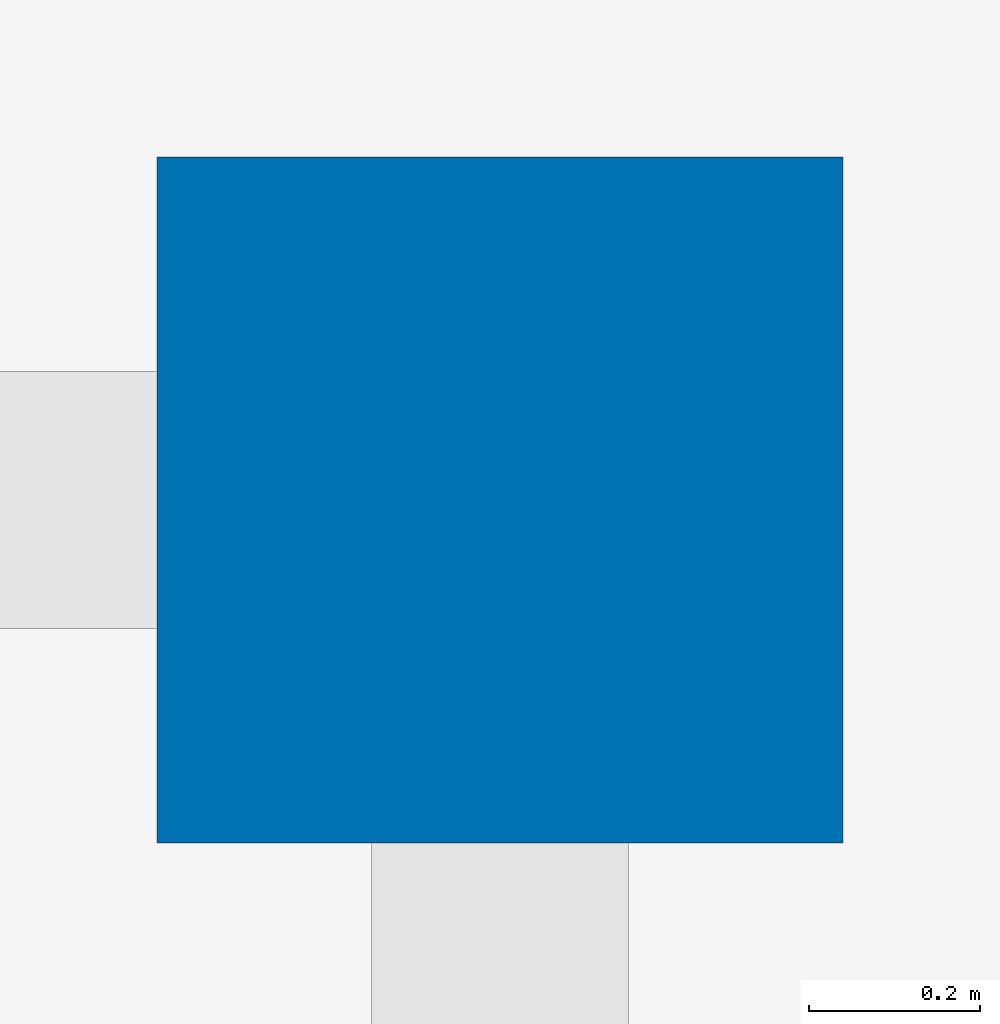
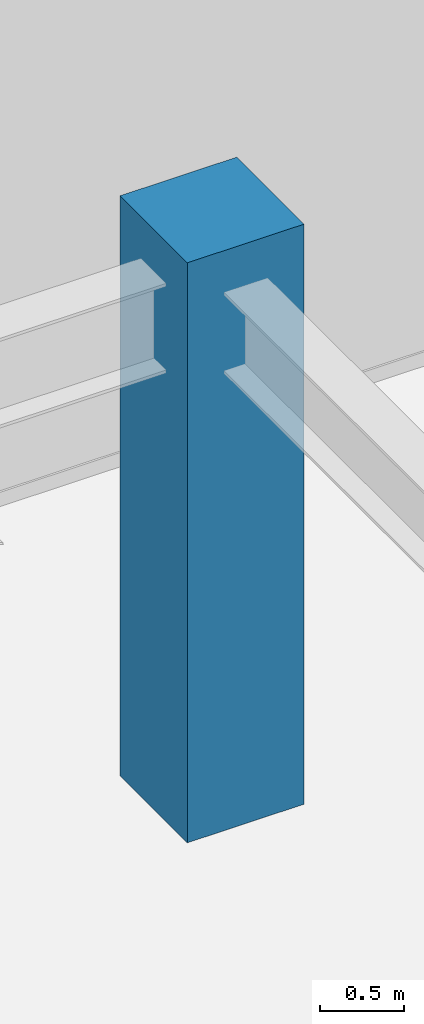
# One storey, part 4 of 31: 1 column.
"""IFC4 building model written with IfcOpenShell, lengths in metres."""

from ifc_helpers import new_model, si_unit, direction, frame, origin, origin_2d, place, context, subcontext, project, spatial, rectangle, extrude, source, transform, mapped, material, material_profile, profile_set, type_object, type_shapes, element, save


model = new_model("IFC4")

# Units and contexts
model_context = context("Model", 3, precision=1e-05, world=origin(), true_north=direction((0.0, 1.0)))
body_context = subcontext(model_context, "Body", "Model", "MODEL_VIEW")
ifc_project = project(units=[si_unit("LENGTHUNIT", "METRE"), si_unit("AREAUNIT", "SQUARE_METRE"), si_unit("VOLUMEUNIT", "CUBIC_METRE"), si_unit("PLANEANGLEUNIT", "RADIAN"), si_unit("MASSUNIT", "GRAM", prefix="KILO")], contexts=[model_context])

# Site, building, storey
site_placement = place(None, origin())
site = spatial("IfcSite", under=ifc_project, at=site_placement, CompositionType="ELEMENT")
building_placement = place(site_placement, origin())
building = spatial("IfcBuilding", under=site, at=building_placement, Name="Haelvirn Gate Laboratories", CompositionType="ELEMENT")
storey_placement = place(building_placement, frame((0.0, 0.0, 318.60009765625)))
storey = spatial("IfcBuildingStorey", under=building, at=storey_placement, Name="L76", CompositionType="ELEMENT", Elevation=318.60009765625)

# Column
ifc_material = material(Name="Concrete C50/60", Category="concrete")
ifc_material_profile = material_profile(ifc_material, rectangle(XDim=0.800048828125, YDim=0.800048828125, at=origin_2d()), Name="RC-800x800")
ifc_profile_set = profile_set([ifc_material_profile], Name="Concrete C50/60")
column_type = type_object("IfcColumnType", Name="COL-RC-800", PredefinedType="COLUMN", material=ifc_profile_set)
shared_shape = source(origin(), body_context, "Body", "SweptSolid", [
    extrude(rectangle(XDim=0.800048828125, YDim=0.800048828125, at=origin_2d()), origin(), (0.0, 0.0, 1.0), 4.199951171875),
])
type_shapes(column_type, [shared_shape])
column_placement = place(storey_placement, frame((60.0, 41.60009765625, 0.0), z_axis=(0.0, 0.0, 1.0), x_axis=(1.0, 0.0, 0.0)))
element("IfcColumn", 1, at=column_placement, inside=storey, type_object=column_type, Name="L76 Column 9G", PredefinedType="COLUMN", context=body_context, shape_type="MappedRepresentation", body=[
    mapped(shared_shape, transform((0.0, 0.0, 0.0), scale=1.0)),
])

save(model, "model.ifc")
